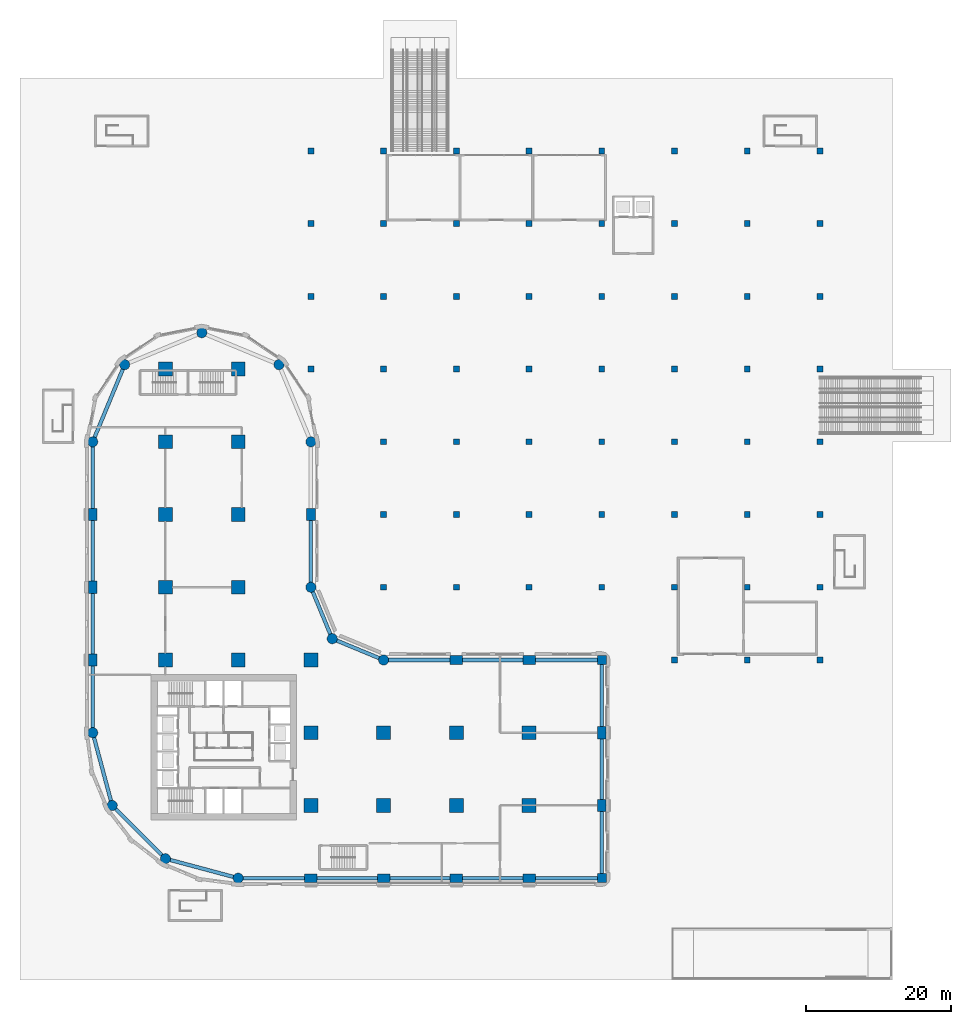
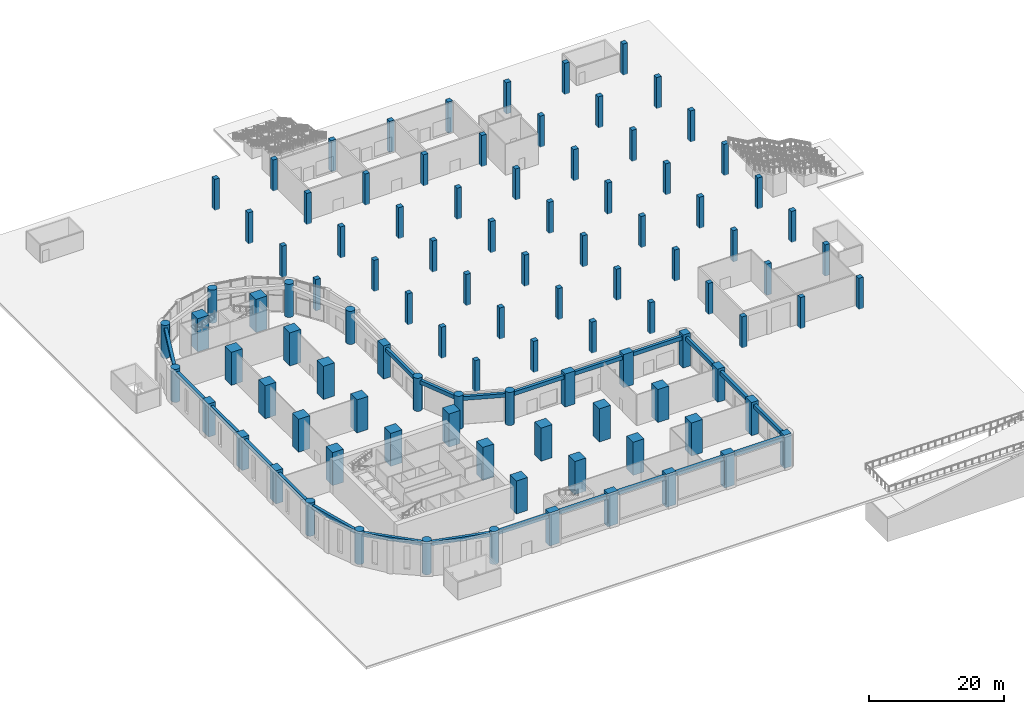
# One storey, part 1 of 21: 101 columns, 22 beams.
"""IFC4 building model written with IfcOpenShell, lengths in metres."""

from ifc_helpers import new_model, si_unit, direction, frame, origin, origin_2d, place, context, subcontext, project, spatial, rectangle, circle, extrude, material, material_profile, profile_set, type_object, element, save


model = new_model("IFC4")

# Units and contexts
model_context = context("Model", 3, precision=1e-05, world=origin(), true_north=direction((0.0, 1.0)))
body_context = subcontext(model_context, "Body", "Model", "MODEL_VIEW")
ifc_project = project(units=[si_unit("LENGTHUNIT", "METRE"), si_unit("AREAUNIT", "SQUARE_METRE"), si_unit("VOLUMEUNIT", "CUBIC_METRE"), si_unit("PLANEANGLEUNIT", "RADIAN"), si_unit("MASSUNIT", "GRAM", prefix="KILO")], contexts=[model_context])

# Site, building, storey
site_placement = place(None, origin())
site = spatial("IfcSite", under=ifc_project, at=site_placement, CompositionType="ELEMENT")
building_placement = place(site_placement, origin())
building = spatial("IfcBuilding", under=site, at=building_placement, Name="Qaws Garden Tower", CompositionType="ELEMENT")
storey_placement = place(building_placement, origin())
storey = spatial("IfcBuildingStorey", under=building, at=storey_placement, Name="L00", CompositionType="ELEMENT", Elevation=0.0)

# Columns
ifc_material_1 = material(Name="Concrete C80", Category="concrete")
ifc_material_profile_1 = material_profile(ifc_material_1, rectangle(XDim=1.25, YDim=1.25, at=origin_2d()), Name="RC 1250x1250")
ifc_profile_set_1 = profile_set([ifc_material_profile_1], Name="Concrete C80")
column_type_1 = type_object("IfcColumnType", Name="Column RC 1250x1250 C80", PredefinedType="COLUMN", material=ifc_profile_set_1)
for number, where, z_axis, x_axis, name in (
    (1, (70.0, 0.0, 0.0), (0.0, 0.0, 1.0), (1.0, 0.0, 0.0), "Column L00-006"),
    (2, (70.0, 30.0, 0.0), (0.0, 0.0, 1.0), (1.0, 0.0, 0.0), "Column L00-009"),
):
    element("IfcColumn", number, at=place(storey_placement, frame(where, z_axis=z_axis, x_axis=x_axis)), inside=storey, type_object=column_type_1, Name=name, PredefinedType="COLUMN", context=body_context, shape_type="SweptSolid", body=[
        extrude(rectangle(XDim=1.25, YDim=1.25, at=origin_2d()), origin(), (0.0, 0.0, 1.0), 6.0),
    ])
ifc_material_2 = material(Name="Concrete C80", Category="concrete")
ifc_material_profile_2 = material_profile(ifc_material_2, rectangle(XDim=1.699951171875, YDim=1.199951171875, at=origin_2d()), Name="RC 1700x1200")
ifc_profile_set_2 = profile_set([ifc_material_profile_2], Name="Concrete C80")
column_type_2 = type_object("IfcColumnType", Name="Column RC 1700x1200 C80", PredefinedType="COLUMN", material=ifc_profile_set_2)
for number, where, z_axis, x_axis, name in (
    (3, (30.0, 0.0, 0.0), (0.0, 0.0, 1.0), (1.0, 0.0, 0.0), "Column L00-002"),
    (4, (40.0, 0.0, 0.0), (0.0, 0.0, 1.0), (1.0, 0.0, 0.0), "Column L00-003"),
    (5, (50.0, 0.0, 0.0), (0.0, 0.0, 1.0), (1.0, 0.0, 0.0), "Column L00-004"),
    (6, (60.0, 0.0, 0.0), (0.0, 0.0, 1.0), (1.0, 0.0, 0.0), "Column L00-005"),
    (7, (70.0, 10.0, 0.0), (0.0, 0.0, 1.0), (0.0, 1.0, 0.0), "Column L00-007"),
    (8, (70.0, 20.0, 0.0), (0.0, 0.0, 1.0), (0.0, 1.0, 0.0), "Column L00-008"),
    (9, (60.0, 30.0, 0.0), (0.0, 0.0, 1.0), (1.0, 0.0, 0.0), "Column L00-010"),
    (10, (50.0, 30.0, 0.0), (0.0, 0.0, 1.0), (1.0, 0.0, 0.0), "Column L00-011"),
    (11, (30.0, 50.0, 0.0), (0.0, 0.0, 1.0), (0.0, 1.0, 0.0), "Column L00-015"),
    (12, (0.0, 50.0, 0.0), (0.0, 0.0, 1.0), (0.0, 1.0, 0.0), "Column L00-021"),
    (13, (0.0, 40.0, 0.0), (0.0, 0.0, 1.0), (0.0, 1.0, 0.0), "Column L00-022"),
    (14, (0.0, 30.0, 0.0), (0.0, 0.0, 1.0), (0.0, 1.0, 0.0), "Column L00-023"),
):
    element("IfcColumn", number, at=place(storey_placement, frame(where, z_axis=z_axis, x_axis=x_axis)), inside=storey, type_object=column_type_2, Name=name, PredefinedType="COLUMN", context=body_context, shape_type="SweptSolid", body=[
        extrude(rectangle(XDim=1.699951171875, YDim=1.199951171875, at=origin_2d()), origin(), (0.0, 0.0, 1.0), 6.0),
    ])
ifc_material_3 = material(Name="Concrete C80", Category="concrete")
ifc_material_profile_3 = material_profile(ifc_material_3, rectangle(XDim=1.89990234375, YDim=1.89990234375, at=origin_2d()), Name="RC 1900x1900")
ifc_profile_set_3 = profile_set([ifc_material_profile_3], Name="Concrete C80")
column_type_3 = type_object("IfcColumnType", Name="Column RC 1900x1900 C80", PredefinedType="COLUMN", material=ifc_profile_set_3)
for number, where, z_axis, x_axis, name in (
    (15, (10.0, 30.0, 0.0), (0.0, 0.0, 1.0), (1.0, 0.0, 0.0), "Column L00-027"),
    (16, (10.0, 40.0, 0.0), (0.0, 0.0, 1.0), (1.0, 0.0, 0.0), "Column L00-028"),
    (17, (10.0, 50.0, 0.0), (0.0, 0.0, 1.0), (1.0, 0.0, 0.0), "Column L00-029"),
    (18, (10.0, 60.0, 0.0), (0.0, 0.0, 1.0), (1.0, 0.0, 0.0), "Column L00-030"),
    (19, (10.0, 70.0, 0.0), (0.0, 0.0, 1.0), (1.0, 0.0, 0.0), "Column L00-031"),
    (20, (20.0, 30.0, 0.0), (0.0, 0.0, 1.0), (1.0, 0.0, 0.0), "Column L00-032"),
    (21, (20.0, 40.0, 0.0), (0.0, 0.0, 1.0), (1.0, 0.0, 0.0), "Column L00-033"),
    (22, (20.0, 50.0, 0.0), (0.0, 0.0, 1.0), (1.0, 0.0, 0.0), "Column L00-034"),
    (23, (20.0, 60.0, 0.0), (0.0, 0.0, 1.0), (1.0, 0.0, 0.0), "Column L00-035"),
    (24, (20.0, 70.0, 0.0), (0.0, 0.0, 1.0), (1.0, 0.0, 0.0), "Column L00-036"),
    (25, (30.0, 10.0, 0.0), (0.0, 0.0, 1.0), (1.0, 0.0, 0.0), "Column L00-037"),
    (26, (30.0, 20.0, 0.0), (0.0, 0.0, 1.0), (1.0, 0.0, 0.0), "Column L00-038"),
    (27, (30.0, 30.0, 0.0), (0.0, 0.0, 1.0), (1.0, 0.0, 0.0), "Column L00-039"),
    (28, (40.0, 10.0, 0.0), (0.0, 0.0, 1.0), (1.0, 0.0, 0.0), "Column L00-040"),
    (29, (40.0, 20.0, 0.0), (0.0, 0.0, 1.0), (1.0, 0.0, 0.0), "Column L00-041"),
    (30, (50.0, 10.0, 0.0), (0.0, 0.0, 1.0), (1.0, 0.0, 0.0), "Column L00-042"),
    (31, (50.0, 20.0, 0.0), (0.0, 0.0, 1.0), (1.0, 0.0, 0.0), "Column L00-043"),
    (32, (60.0, 10.0, 0.0), (0.0, 0.0, 1.0), (1.0, 0.0, 0.0), "Column L00-044"),
    (33, (60.0, 20.0, 0.0), (0.0, 0.0, 1.0), (1.0, 0.0, 0.0), "Column L00-045"),
):
    element("IfcColumn", number, at=place(storey_placement, frame(where, z_axis=z_axis, x_axis=x_axis)), inside=storey, type_object=column_type_3, Name=name, PredefinedType="COLUMN", context=body_context, shape_type="SweptSolid", body=[
        extrude(rectangle(XDim=1.89990234375, YDim=1.89990234375, at=origin_2d()), origin(), (0.0, 0.0, 1.0), 6.0),
    ])
ifc_material_4 = material(Name="Concrete C80", Category="concrete")
ifc_material_profile_4 = material_profile(ifc_material_4, circle(Radius=0.699951171875, at=origin_2d()), Name="RC D1400")
ifc_profile_set_4 = profile_set([ifc_material_profile_4], Name="Concrete C80")
column_type_4 = type_object("IfcColumnType", Name="Column RC D1400 C80", PredefinedType="COLUMN", material=ifc_profile_set_4)
for number, where, z_axis, x_axis, name in (
    (34, (20.0, 0.0, 0.0), (0.0, 0.0, 1.0), (1.0, 0.0, 0.0), "Column L00-001"),
    (35, (40.0, 30.0, 0.0), (0.0, 0.0, 1.0), (1.0, 0.0, 0.0), "Column L00-012"),
    (36, (32.928955078125, 32.928955078125, 0.0), (0.0, 0.0, 1.0), (1.0, 0.0, 0.0), "Column L00-013"),
    (37, (30.0, 40.0, 0.0), (0.0, 0.0, 1.0), (1.0, 0.0, 0.0), "Column L00-014"),
    (38, (30.0, 60.0, 0.0), (0.0, 0.0, 1.0), (1.0, 0.0, 0.0), "Column L00-016"),
    (39, (25.606689453125, 70.606689453125, 0.0), (0.0, 0.0, 1.0), (1.0, 0.0, 0.0), "Column L00-017"),
    (40, (15.0, 75.0, 0.0), (0.0, 0.0, 1.0), (1.0, 0.0, 0.0), "Column L00-018"),
    (41, (4.393310546875, 70.606689453125, 0.0), (0.0, 0.0, 1.0), (1.0, 0.0, 0.0), "Column L00-019"),
    (42, (0.0, 60.0, 0.0), (0.0, 0.0, 1.0), (1.0, 0.0, 0.0), "Column L00-020"),
    (43, (0.0, 20.0, 0.0), (0.0, 0.0, 1.0), (1.0, 0.0, 0.0), "Column L00-024"),
    (44, (2.679443359375, 10.0, 0.0), (0.0, 0.0, 1.0), (1.0, 0.0, 0.0), "Column L00-025"),
    (45, (10.0, 2.679443359375, 0.0), (0.0, 0.0, 1.0), (1.0, 0.0, 0.0), "Column L00-026"),
):
    element("IfcColumn", number, at=place(storey_placement, frame(where, z_axis=z_axis, x_axis=x_axis)), inside=storey, type_object=column_type_4, Name=name, PredefinedType="COLUMN", context=body_context, shape_type="SweptSolid", body=[
        extrude(circle(Radius=0.699951171875, at=origin_2d()), origin(), (0.0, 0.0, 1.0), 6.0),
    ])
ifc_material_5 = material(Name="Concrete C45 precast", Category="concrete")
ifc_material_profile_5 = material_profile(ifc_material_5, rectangle(XDim=0.800048828125, YDim=0.800048828125, at=origin_2d()), Name="PC1 column 800 x 800")
ifc_profile_set_5 = profile_set([ifc_material_profile_5], Name="Concrete C45 precast")
column_type_5 = type_object("IfcColumnType", Name="PC1 column 800 x 800", PredefinedType="COLUMN", material=ifc_profile_set_5)
for number, where, z_axis, x_axis, name in (
    (46, (30.0, 70.0, -0.10009765625), (0.0, 0.0, 1.0), (1.0, 0.0, 0.0), "Column 18 L00"),
    (47, (30.0, 80.0, -0.10009765625), (0.0, 0.0, 1.0), (1.0, 0.0, 0.0), "Column 19 L00"),
    (48, (30.0, 90.0, -0.10009765625), (0.0, 0.0, 1.0), (1.0, 0.0, 0.0), "Column 20 L00"),
    (49, (30.0, 100.0, -0.10009765625), (0.0, 0.0, 1.0), (1.0, 0.0, 0.0), "Column 21 L00"),
    (50, (40.0, 40.0, -0.10009765625), (0.0, 0.0, 1.0), (1.0, 0.0, 0.0), "Column 23 L00"),
    (51, (40.0, 50.0, -0.10009765625), (0.0, 0.0, 1.0), (1.0, 0.0, 0.0), "Column 24 L00"),
    (52, (40.0, 60.0, -0.10009765625), (0.0, 0.0, 1.0), (1.0, 0.0, 0.0), "Column 25 L00"),
    (53, (40.0, 70.0, -0.10009765625), (0.0, 0.0, 1.0), (1.0, 0.0, 0.0), "Column 26 L00"),
    (54, (40.0, 80.0, -0.10009765625), (0.0, 0.0, 1.0), (1.0, 0.0, 0.0), "Column 27 L00"),
    (55, (40.0, 90.0, -0.10009765625), (0.0, 0.0, 1.0), (1.0, 0.0, 0.0), "Column 28 L00"),
    (56, (40.0, 100.0, -0.10009765625), (0.0, 0.0, 1.0), (1.0, 0.0, 0.0), "Column 29 L00"),
    (57, (50.0, 40.0, -0.10009765625), (0.0, 0.0, 1.0), (1.0, 0.0, 0.0), "Column 30 L00"),
    (58, (50.0, 50.0, -0.10009765625), (0.0, 0.0, 1.0), (1.0, 0.0, 0.0), "Column 31 L00"),
    (59, (50.0, 60.0, -0.10009765625), (0.0, 0.0, 1.0), (1.0, 0.0, 0.0), "Column 32 L00"),
    (60, (50.0, 70.0, -0.10009765625), (0.0, 0.0, 1.0), (1.0, 0.0, 0.0), "Column 33 L00"),
    (61, (50.0, 80.0, -0.10009765625), (0.0, 0.0, 1.0), (1.0, 0.0, 0.0), "Column 34 L00"),
    (62, (50.0, 90.0, -0.10009765625), (0.0, 0.0, 1.0), (1.0, 0.0, 0.0), "Column 35 L00"),
    (63, (50.0, 100.0, -0.10009765625), (0.0, 0.0, 1.0), (1.0, 0.0, 0.0), "Column 36 L00"),
    (64, (60.0, 40.0, -0.10009765625), (0.0, 0.0, 1.0), (1.0, 0.0, 0.0), "Column 37 L00"),
    (65, (60.0, 50.0, -0.10009765625), (0.0, 0.0, 1.0), (1.0, 0.0, 0.0), "Column 38 L00"),
    (66, (60.0, 60.0, -0.10009765625), (0.0, 0.0, 1.0), (1.0, 0.0, 0.0), "Column 39 L00"),
    (67, (60.0, 70.0, -0.10009765625), (0.0, 0.0, 1.0), (1.0, 0.0, 0.0), "Column 40 L00"),
    (68, (60.0, 80.0, -0.10009765625), (0.0, 0.0, 1.0), (1.0, 0.0, 0.0), "Column 41 L00"),
    (69, (60.0, 90.0, -0.10009765625), (0.0, 0.0, 1.0), (1.0, 0.0, 0.0), "Column 42 L00"),
    (70, (60.0, 100.0, -0.10009765625), (0.0, 0.0, 1.0), (1.0, 0.0, 0.0), "Column 43 L00"),
    (71, (70.0, 40.0, -0.10009765625), (0.0, 0.0, 1.0), (1.0, 0.0, 0.0), "Column 44 L00"),
    (72, (70.0, 50.0, -0.10009765625), (0.0, 0.0, 1.0), (1.0, 0.0, 0.0), "Column 45 L00"),
    (73, (70.0, 60.0, -0.10009765625), (0.0, 0.0, 1.0), (1.0, 0.0, 0.0), "Column 46 L00"),
    (74, (70.0, 70.0, -0.10009765625), (0.0, 0.0, 1.0), (1.0, 0.0, 0.0), "Column 47 L00"),
    (75, (70.0, 80.0, -0.10009765625), (0.0, 0.0, 1.0), (1.0, 0.0, 0.0), "Column 48 L00"),
    (76, (70.0, 90.0, -0.10009765625), (0.0, 0.0, 1.0), (1.0, 0.0, 0.0), "Column 49 L00"),
    (77, (70.0, 100.0, -0.10009765625), (0.0, 0.0, 1.0), (1.0, 0.0, 0.0), "Column 50 L00"),
    (78, (80.0, 30.0, -0.10009765625), (0.0, 0.0, 1.0), (1.0, 0.0, 0.0), "Column 54 L00"),
    (79, (80.0, 40.0, -0.10009765625), (0.0, 0.0, 1.0), (1.0, 0.0, 0.0), "Column 55 L00"),
    (80, (80.0, 50.0, -0.10009765625), (0.0, 0.0, 1.0), (1.0, 0.0, 0.0), "Column 56 L00"),
    (81, (80.0, 60.0, -0.10009765625), (0.0, 0.0, 1.0), (1.0, 0.0, 0.0), "Column 57 L00"),
    (82, (80.0, 70.0, -0.10009765625), (0.0, 0.0, 1.0), (1.0, 0.0, 0.0), "Column 58 L00"),
    (83, (80.0, 80.0, -0.10009765625), (0.0, 0.0, 1.0), (1.0, 0.0, 0.0), "Column 59 L00"),
    (84, (80.0, 90.0, -0.10009765625), (0.0, 0.0, 1.0), (1.0, 0.0, 0.0), "Column 60 L00"),
    (85, (80.0, 100.0, -0.10009765625), (0.0, 0.0, 1.0), (1.0, 0.0, 0.0), "Column 61 L00"),
    (86, (90.0, 30.0, -0.10009765625), (0.0, 0.0, 1.0), (1.0, 0.0, 0.0), "Column 65 L00"),
    (87, (90.0, 40.0, -0.10009765625), (0.0, 0.0, 1.0), (1.0, 0.0, 0.0), "Column 66 L00"),
    (88, (90.0, 50.0, -0.10009765625), (0.0, 0.0, 1.0), (1.0, 0.0, 0.0), "Column 67 L00"),
    (89, (90.0, 60.0, -0.10009765625), (0.0, 0.0, 1.0), (1.0, 0.0, 0.0), "Column 68 L00"),
    (90, (90.0, 70.0, -0.10009765625), (0.0, 0.0, 1.0), (1.0, 0.0, 0.0), "Column 69 L00"),
    (91, (90.0, 80.0, -0.10009765625), (0.0, 0.0, 1.0), (1.0, 0.0, 0.0), "Column 70 L00"),
    (92, (90.0, 90.0, -0.10009765625), (0.0, 0.0, 1.0), (1.0, 0.0, 0.0), "Column 71 L00"),
    (93, (90.0, 100.0, -0.10009765625), (0.0, 0.0, 1.0), (1.0, 0.0, 0.0), "Column 72 L00"),
    (94, (100.0, 30.0, -0.10009765625), (0.0, 0.0, 1.0), (1.0, 0.0, 0.0), "Column 76 L00"),
    (95, (100.0, 40.0, -0.10009765625), (0.0, 0.0, 1.0), (1.0, 0.0, 0.0), "Column 77 L00"),
    (96, (100.0, 50.0, -0.10009765625), (0.0, 0.0, 1.0), (1.0, 0.0, 0.0), "Column 78 L00"),
    (97, (100.0, 60.0, -0.10009765625), (0.0, 0.0, 1.0), (1.0, 0.0, 0.0), "Column 79 L00"),
    (98, (100.0, 70.0, -0.10009765625), (0.0, 0.0, 1.0), (1.0, 0.0, 0.0), "Column 80 L00"),
    (99, (100.0, 80.0, -0.10009765625), (0.0, 0.0, 1.0), (1.0, 0.0, 0.0), "Column 81 L00"),
    (100, (100.0, 90.0, -0.10009765625), (0.0, 0.0, 1.0), (1.0, 0.0, 0.0), "Column 82 L00"),
    (101, (100.0, 100.0, -0.10009765625), (0.0, 0.0, 1.0), (1.0, 0.0, 0.0), "Column 83 L00"),
):
    element("IfcColumn", number, at=place(storey_placement, frame(where, z_axis=z_axis, x_axis=x_axis)), inside=storey, type_object=column_type_5, Name=name, PredefinedType="COLUMN", context=body_context, shape_type="SweptSolid", body=[
        extrude(rectangle(XDim=0.800048828125, YDim=0.800048828125, at=origin_2d()), origin(), (0.0, 0.0, 1.0), 5.650146484375),
    ])

# Beams
ifc_material_6 = material(Name="Concrete C45", Category="concrete")
ifc_material_profile_6 = material_profile(ifc_material_6, rectangle(XDim=0.5, YDim=0.699951171875, at=origin_2d()), Name="RC 500x700")
ifc_profile_set_6 = profile_set([ifc_material_profile_6], Name="Concrete C45")
beam_type = type_object("IfcBeamType", Name="Spandrel beam RC 500x700 C45", PredefinedType="SPANDREL", material=ifc_profile_set_6)
for number, where, z_axis, x_axis, name in (
    (102, (20.0, 0.0, 5.199951171875), (1.0, 0.0, 0.0), (0.0, 1.0, 0.0), "Spandrel beam L00-001"),
    (103, (30.0, 0.0, 5.199951171875), (1.0, 0.0, 0.0), (0.0, 1.0, 0.0), "Spandrel beam L00-002"),
    (104, (40.0, 0.0, 5.199951171875), (1.0, 0.0, 0.0), (0.0, 1.0, 0.0), "Spandrel beam L00-003"),
    (105, (50.0, 0.0, 5.199951171875), (1.0, 0.0, 0.0), (0.0, 1.0, 0.0), "Spandrel beam L00-004"),
    (106, (60.0, 0.0, 5.199951171875), (1.0, 0.0, 0.0), (0.0, 1.0, 0.0), "Spandrel beam L00-005"),
    (107, (70.0, 0.0, 5.199951171875), (0.0, 1.0, 0.0), (-1.0, 0.0, 0.0), "Spandrel beam L00-006"),
    (108, (70.0, 10.0, 5.199951171875), (0.0, 1.0, 0.0), (-1.0, 0.0, 0.0), "Spandrel beam L00-007"),
    (109, (70.0, 20.0, 5.199951171875), (0.0, 1.0, 0.0), (-1.0, 0.0, 0.0), "Spandrel beam L00-008"),
    (110, (70.0, 30.0, 5.199951171875), (-1.0, 0.0, 0.0), (0.0, -1.0, 0.0), "Spandrel beam L00-009"),
    (111, (60.0, 30.0, 5.199951171875), (-1.0, 0.0, 0.0), (0.0, -1.0, 0.0), "Spandrel beam L00-010"),
    (112, (50.0, 30.0, 5.199951171875), (-1.0, 0.0, 0.0), (0.0, -1.0, 0.0), "Spandrel beam L00-011"),
):
    element("IfcBeam", number, at=place(storey_placement, frame(where, z_axis=z_axis, x_axis=x_axis)), inside=storey, type_object=beam_type, Name=name, PredefinedType="SPANDREL", context=body_context, shape_type="SweptSolid", body=[
        extrude(rectangle(XDim=0.5, YDim=0.699951171875, at=origin_2d()), origin(), (0.0, 0.0, 1.0), 10.0),
    ])
for number, where, z_axis, x_axis, name in (
    (113, (40.0, 30.0, 5.199951171875), (-0.923878037141, 0.382687042488, 0.0), (-0.382687042488, -0.923878037141, 0.0), "Spandrel beam L00-012"),
    (114, (32.928955078125, 32.928955078125, 5.199951171875), (-0.382687042488, 0.923878037141, 0.0), (-0.923878037141, -0.382687042488, 0.0), "Spandrel beam L00-013"),
):
    element("IfcBeam", number, at=place(storey_placement, frame(where, z_axis=z_axis, x_axis=x_axis)), inside=storey, type_object=beam_type, Name=name, PredefinedType="SPANDREL", context=body_context, shape_type="SweptSolid", body=[
        extrude(rectangle(XDim=0.5, YDim=0.699951171875, at=origin_2d()), origin(), (0.0, 0.0, 1.0), 7.653564453125),
    ])
beam_1_placement = place(storey_placement, frame((30.0, 40.0, 5.199951171875), z_axis=(0.0, 1.0, 0.0), x_axis=(-1.0, 0.0, 0.0)))
element("IfcBeam", 115, at=beam_1_placement, inside=storey, type_object=beam_type, Name="Spandrel beam L00-014", PredefinedType="SPANDREL", context=body_context, shape_type="SweptSolid", body=[
    extrude(rectangle(XDim=0.5, YDim=0.699951171875, at=origin_2d()), origin(), (0.0, 0.0, 1.0), 10.0),
])
beam_2_placement = place(storey_placement, frame((4.393310546875, 70.606689453125, 5.199951171875), z_axis=(-0.382674207535, -0.923883353507, 0.0), x_axis=(0.923883353507, -0.382674207535, 0.0)))
element("IfcBeam", 116, at=beam_2_placement, inside=storey, type_object=beam_type, Name="Spandrel beam L00-019", PredefinedType="SPANDREL", context=body_context, shape_type="SweptSolid", body=[
    extrude(rectangle(XDim=0.5, YDim=0.699951171875, at=origin_2d()), origin(), (0.0, 0.0, 1.0), 11.48046875),
])
for number, where, z_axis, x_axis, name in (
    (117, (0.0, 60.0, 5.199951171875), (0.0, -1.0, 0.0), (1.0, 0.0, 0.0), "Spandrel beam L00-020"),
    (118, (0.0, 50.0, 5.199951171875), (0.0, -1.0, 0.0), (1.0, 0.0, 0.0), "Spandrel beam L00-021"),
    (119, (0.0, 40.0, 5.199951171875), (0.0, -1.0, 0.0), (1.0, 0.0, 0.0), "Spandrel beam L00-022"),
    (120, (0.0, 30.0, 5.199951171875), (0.0, -1.0, 0.0), (1.0, 0.0, 0.0), "Spandrel beam L00-023"),
):
    element("IfcBeam", number, at=place(storey_placement, frame(where, z_axis=z_axis, x_axis=x_axis)), inside=storey, type_object=beam_type, Name=name, PredefinedType="SPANDREL", context=body_context, shape_type="SweptSolid", body=[
        extrude(rectangle(XDim=0.5, YDim=0.699951171875, at=origin_2d()), origin(), (0.0, 0.0, 1.0), 10.0),
    ])
for number, where, z_axis, x_axis, name in (
    (121, (0.0, 20.0, 5.199951171875), (0.25881466832, -0.965926999034, 0.0), (0.965926999034, 0.25881466832, 0.0), "Spandrel beam L00-024"),
    (122, (2.679443359375, 10.0, 5.199951171875), (0.707106781187, -0.707106781187, 0.0), (0.707106781187, 0.707106781187, 0.0), "Spandrel beam L00-025"),
    (123, (10.0, 2.679443359375, 5.199951171875), (0.965926999034, -0.25881466832, 0.0), (0.25881466832, 0.965926999034, 0.0), "Spandrel beam L00-026"),
):
    element("IfcBeam", number, at=place(storey_placement, frame(where, z_axis=z_axis, x_axis=x_axis)), inside=storey, type_object=beam_type, Name=name, PredefinedType="SPANDREL", context=body_context, shape_type="SweptSolid", body=[
        extrude(rectangle(XDim=0.5, YDim=0.699951171875, at=origin_2d()), origin(), (0.0, 0.0, 1.0), 10.352783203125),
    ])

save(model, "model.ifc")
